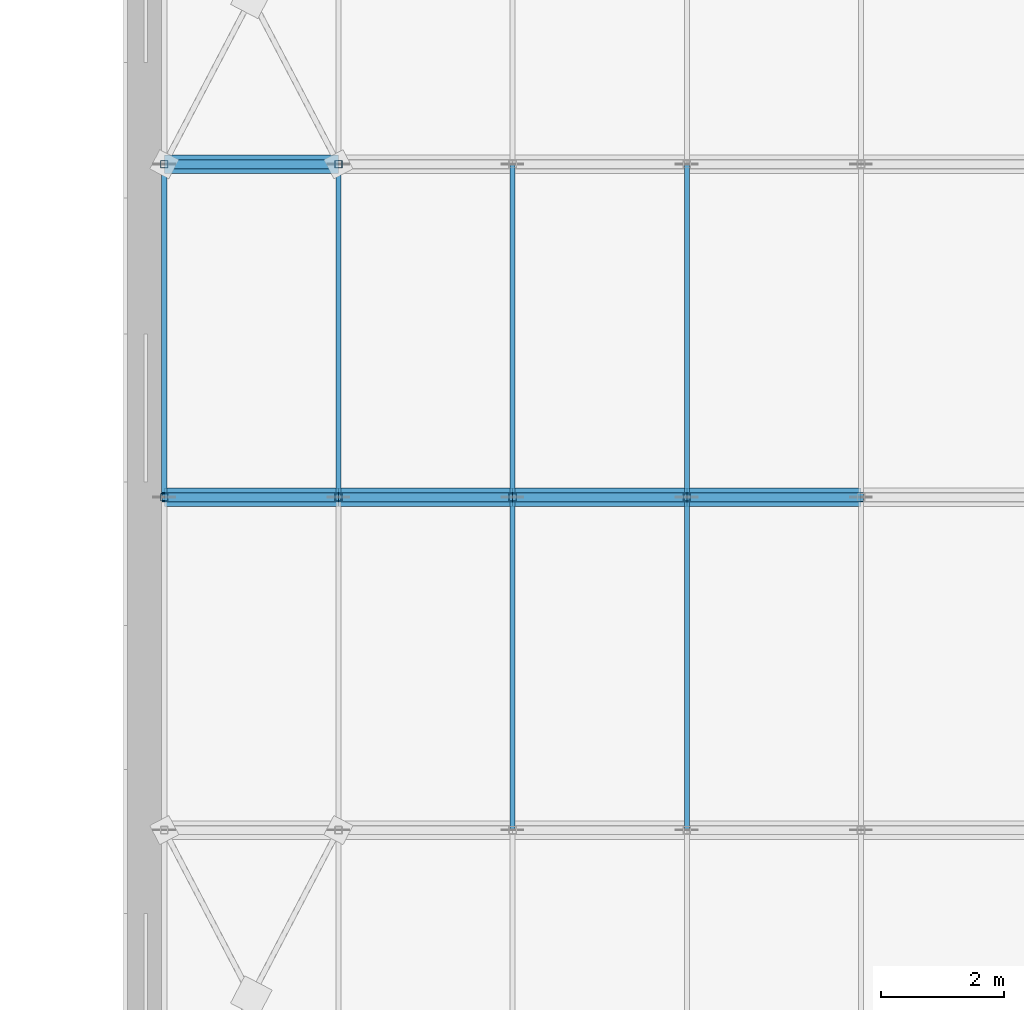
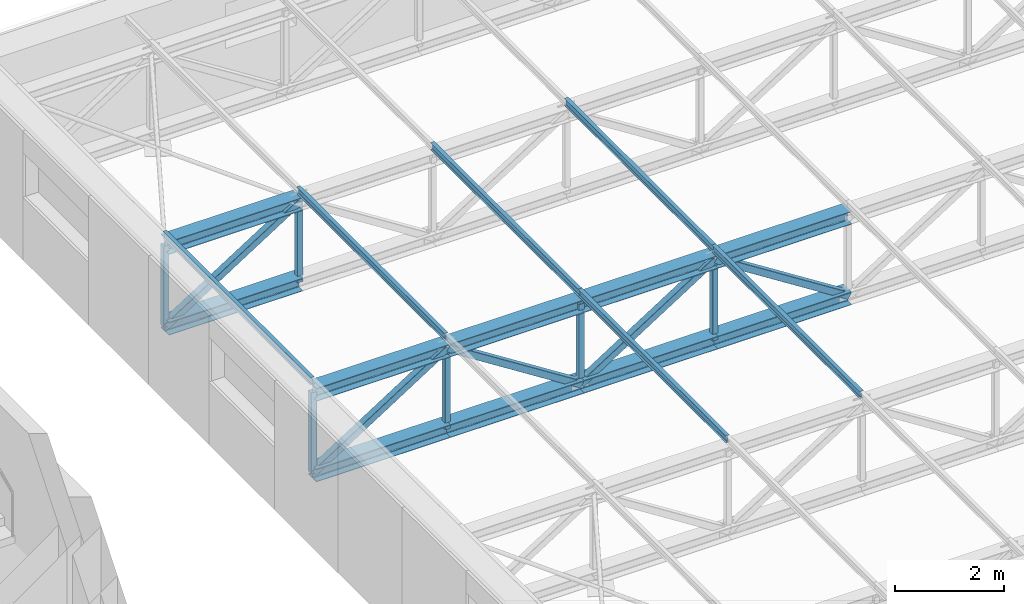
# One storey, part 28 of 132: 27 members.
"""IFC4 building model written with IfcOpenShell, lengths in metres."""

from ifc_helpers import new_model, si_unit, direction, frame, origin, origin_2d, place, context, subcontext, project, spatial, hollow_rectangle, i_section, extrude, material, material_profile, profile_set, type_object, element, save


model = new_model("IFC4")

# Units and contexts
model_context = context("Model", 3, precision=1e-05, world=origin(), true_north=direction((0.0, 1.0)))
body_context = subcontext(model_context, "Body", "Model", "MODEL_VIEW")
ifc_project = project(units=[si_unit("LENGTHUNIT", "METRE"), si_unit("AREAUNIT", "SQUARE_METRE"), si_unit("VOLUMEUNIT", "CUBIC_METRE"), si_unit("PLANEANGLEUNIT", "RADIAN"), si_unit("MASSUNIT", "GRAM", prefix="KILO")], contexts=[model_context])

# Site, building, storey
site_placement = place(None, origin())
site = spatial("IfcSite", under=ifc_project, at=site_placement, CompositionType="ELEMENT")
building_placement = place(site_placement, origin())
building = spatial("IfcBuilding", under=site, at=building_placement, Name="Lunette Opera House", CompositionType="ELEMENT")
storey_placement = place(building_placement, frame((0.0, 0.0, 17.0)))
storey = spatial("IfcBuildingStorey", under=building, at=storey_placement, Name="L03", CompositionType="ELEMENT", Elevation=17.0)

# Members
ifc_material_1 = material(Name="Steel S355", Category="steel")
ifc_material_profile_1 = material_profile(ifc_material_1, i_section(OverallWidth=0.300048828125, OverallDepth=0.2900390625, WebThickness=0.008544921875, FlangeThickness=0.013916015625, FilletRadius=0.027099609375, at=origin_2d()), Name="HEA 300")
ifc_profile_set_1 = profile_set([ifc_material_profile_1], Name="Steel S355")
member_type_1 = type_object("IfcMemberType", Name="CHORD HEA 300", PredefinedType="CHORD", material=ifc_profile_set_1)
for number, where, z_axis, x_axis, name in (
    (1, (60.60009765625, 108.0, 2.574951171875), (1.0, 0.0, 0.0), (0.0, 1.0, 0.0), "mem-ST-L03-SW-TR03-TC1"),
    (2, (60.60009765625, 108.0, 0.77490234375), (1.0, 0.0, 0.0), (0.0, 1.0, 0.0), "mem-ST-L03-SW-TR03-BC1"),
    (3, (63.425048828125, 108.0, 2.574951171875), (1.0, 0.0, 0.0), (0.0, 1.0, 0.0), "mem-ST-L03-SW-TR03-TC2"),
    (4, (63.425048828125, 108.0, 0.77490234375), (1.0, 0.0, 0.0), (0.0, 1.0, 0.0), "mem-ST-L03-SW-TR03-BC2"),
    (5, (66.25, 108.0, 2.574951171875), (1.0, 0.0, 0.0), (0.0, 1.0, 0.0), "mem-ST-L03-SW-TR03-TC3"),
    (6, (66.25, 108.0, 0.77490234375), (1.0, 0.0, 0.0), (0.0, 1.0, 0.0), "mem-ST-L03-SW-TR03-BC3"),
    (7, (69.074951171875, 108.0, 2.574951171875), (1.0, 0.0, 0.0), (0.0, 1.0, 0.0), "mem-ST-L03-SW-TR03-TC4"),
    (8, (69.074951171875, 108.0, 0.77490234375), (1.0, 0.0, 0.0), (0.0, 1.0, 0.0), "mem-ST-L03-SW-TR03-BC4"),
    (9, (60.60009765625, 113.39990234375, 2.574951171875), (1.0, 0.0, 0.0), (0.0, 1.0, 0.0), "mem-ST-L03-SW-TR04-TC1"),
    (10, (60.60009765625, 113.39990234375, 0.77490234375), (1.0, 0.0, 0.0), (0.0, 1.0, 0.0), "mem-ST-L03-SW-TR04-BC1"),
):
    element("IfcMember", number, at=place(storey_placement, frame(where, z_axis=z_axis, x_axis=x_axis)), inside=storey, type_object=member_type_1, Name=name, PredefinedType="CHORD", context=body_context, shape_type="SweptSolid", body=[
        extrude(i_section(OverallWidth=0.300048828125, OverallDepth=0.2900390625, WebThickness=0.008544921875, FlangeThickness=0.013916015625, FilletRadius=0.027099609375, at=origin_2d()), origin(), (0.0, 0.0, 1.0), 2.824951171875),
    ])
ifc_material_2 = material(Name="Steel S355", Category="steel")
ifc_material_profile_2 = material_profile(ifc_material_2, hollow_rectangle(XDim=0.14990234375, YDim=0.14990234375, WallThickness=0.006103515625, InnerFilletRadius=0.006103515625, OuterFilletRadius=0.011962890625, at=origin_2d()), Name="RHS 150X150X6")
ifc_profile_set_2 = profile_set([ifc_material_profile_2], Name="Steel S355")
member_type_2 = type_object("IfcMemberType", Name="DIAGONAL RHS 150X150X6", PredefinedType="BRACE", material=ifc_profile_set_2)
for number, where, z_axis, x_axis, name in (
    (11, (60.60009765625, 108.0, 0.77490234375), (0.843343221477, 0.0, 0.537375297896), (0.0, 1.0, 0.0), "mem-ST-L03-SW-TR03-TD1"),
    (12, (63.425048828125, 108.0, 2.574951171875), (0.843343221477, 0.0, -0.537375297896), (0.0, 1.0, 0.0), "mem-ST-L03-SW-TR03-TD2"),
    (13, (66.25, 108.0, 0.77490234375), (0.843343221477, 0.0, 0.537375297896), (0.0, 1.0, 0.0), "mem-ST-L03-SW-TR03-TD3"),
    (14, (69.074951171875, 108.0, 2.574951171875), (0.843343221477, 0.0, -0.537375297896), (0.0, 1.0, 0.0), "mem-ST-L03-SW-TR03-TD4"),
    (15, (60.60009765625, 113.39990234375, 0.77490234375), (0.843343221477, 0.0, 0.537375297896), (0.0, 1.0, 0.0), "mem-ST-L03-SW-TR04-TD1"),
):
    element("IfcMember", number, at=place(storey_placement, frame(where, z_axis=z_axis, x_axis=x_axis)), inside=storey, type_object=member_type_2, Name=name, PredefinedType="BRACE", context=body_context, shape_type="SweptSolid", body=[
        extrude(hollow_rectangle(XDim=0.14990234375, YDim=0.14990234375, WallThickness=0.006103515625, InnerFilletRadius=0.006103515625, OuterFilletRadius=0.011962890625, at=origin_2d()), origin(), (0.0, 0.0, 1.0), 3.349609375),
    ])
ifc_material_3 = material(Name="Steel S355", Category="steel")
ifc_material_profile_3 = material_profile(ifc_material_3, i_section(OverallWidth=0.08203125, OverallDepth=0.159912109375, WebThickness=0.0048828125, FlangeThickness=0.00732421875, FilletRadius=0.009033203125, at=origin_2d()), Name="IPE 160")
ifc_profile_set_3 = profile_set([ifc_material_profile_3], Name="Steel S355")
member_type_3 = type_object("IfcMemberType", Name="PURLIN IPE 160", PredefinedType="PURLIN", material=ifc_profile_set_3)
for number, where, z_axis, x_axis, name in (
    (16, (60.60009765625, 108.0, 2.800048828125), (0.0, 1.0, 0.0), (-1.0, 0.0, 0.0), "mem-ST-L03-SW-TR-PU1-4"),
    (17, (63.425048828125, 108.0, 2.800048828125), (0.0, 1.0, 0.0), (-1.0, 0.0, 0.0), "mem-ST-L03-SW-TR-PU2-4"),
    (18, (66.25, 102.60009765625, 2.800048828125), (0.0, 1.0, 0.0), (-1.0, 0.0, 0.0), "mem-ST-L03-SW-TR-PU3-3"),
    (19, (66.25, 108.0, 2.800048828125), (0.0, 1.0, 0.0), (-1.0, 0.0, 0.0), "mem-ST-L03-SW-TR-PU3-4"),
    (20, (69.074951171875, 102.60009765625, 2.800048828125), (0.0, 1.0, 0.0), (-1.0, 0.0, 0.0), "mem-ST-L03-SW-TR-PU4-3"),
    (21, (69.074951171875, 108.0, 2.800048828125), (0.0, 1.0, 0.0), (-1.0, 0.0, 0.0), "mem-ST-L03-SW-TR-PU4-4"),
):
    element("IfcMember", number, at=place(storey_placement, frame(where, z_axis=z_axis, x_axis=x_axis)), inside=storey, type_object=member_type_3, Name=name, PredefinedType="PURLIN", context=body_context, shape_type="SweptSolid", body=[
        extrude(i_section(OverallWidth=0.08203125, OverallDepth=0.159912109375, WebThickness=0.0048828125, FlangeThickness=0.00732421875, FilletRadius=0.009033203125, at=origin_2d()), origin(), (0.0, 0.0, 1.0), 5.39990234375),
    ])
ifc_material_4 = material(Name="Steel S355", Category="steel")
ifc_material_profile_4 = material_profile(ifc_material_4, hollow_rectangle(XDim=0.1201171875, YDim=0.1201171875, WallThickness=0.0048828125, InnerFilletRadius=0.0048828125, OuterFilletRadius=0.010009765625, at=origin_2d()), Name="RHS 120X120X5")
ifc_profile_set_4 = profile_set([ifc_material_profile_4], Name="Steel S355")
member_type_4 = type_object("IfcMemberType", Name="VERTICAL RHS 120X120X5", PredefinedType="POST", material=ifc_profile_set_4)
for number, where, z_axis, x_axis, name in (
    (22, (60.60009765625, 108.0, 0.77490234375), (0.0, 0.0, 1.0), (1.0, 0.0, 0.0), "mem-ST-L03-SW-TR03-TV1"),
    (23, (63.425048828125, 108.0, 0.77490234375), (0.0, 0.0, 1.0), (1.0, 0.0, 0.0), "mem-ST-L03-SW-TR03-TV2"),
    (24, (66.25, 108.0, 0.77490234375), (0.0, 0.0, 1.0), (1.0, 0.0, 0.0), "mem-ST-L03-SW-TR03-TV3"),
    (25, (69.074951171875, 108.0, 0.77490234375), (0.0, 0.0, 1.0), (1.0, 0.0, 0.0), "mem-ST-L03-SW-TR03-TV4"),
    (26, (60.60009765625, 113.39990234375, 0.77490234375), (0.0, 0.0, 1.0), (1.0, 0.0, 0.0), "mem-ST-L03-SW-TR04-TV1"),
    (27, (63.425048828125, 113.39990234375, 0.77490234375), (0.0, 0.0, 1.0), (1.0, 0.0, 0.0), "mem-ST-L03-SW-TR04-TV2"),
):
    element("IfcMember", number, at=place(storey_placement, frame(where, z_axis=z_axis, x_axis=x_axis)), inside=storey, type_object=member_type_4, Name=name, PredefinedType="POST", context=body_context, shape_type="SweptSolid", body=[
        extrude(hollow_rectangle(XDim=0.1201171875, YDim=0.1201171875, WallThickness=0.0048828125, InnerFilletRadius=0.0048828125, OuterFilletRadius=0.010009765625, at=origin_2d()), origin(), (0.0, 0.0, 1.0), 1.800048828125),
    ])

save(model, "model.ifc")
